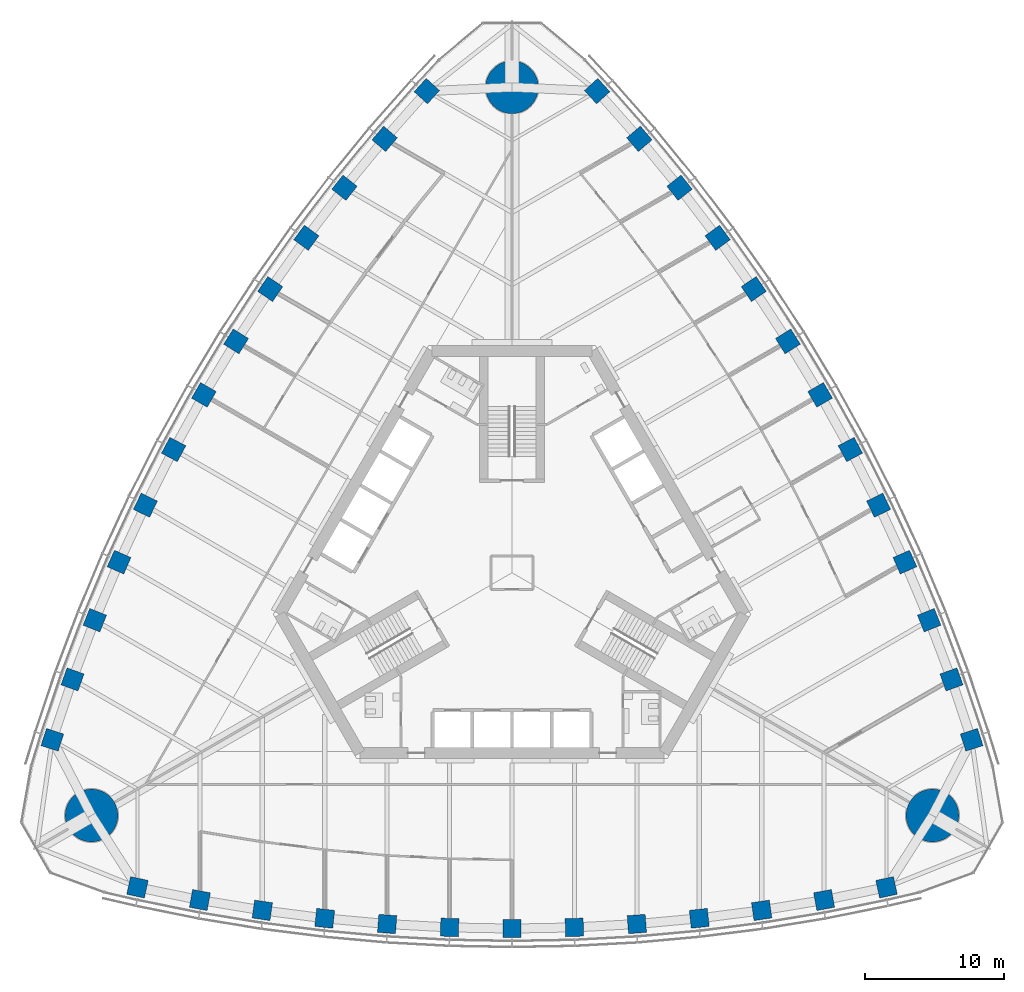
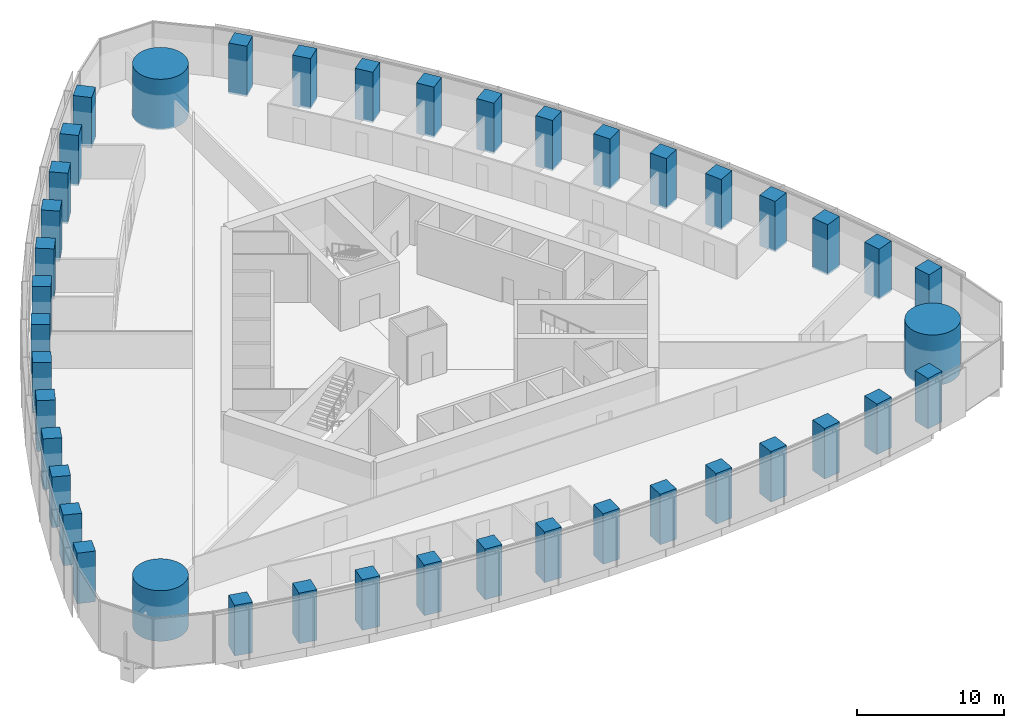
# One storey, part 1 of 19: 42 columns.
"""IFC4 building model written with IfcOpenShell, lengths in metres."""

from ifc_helpers import new_model, si_unit, direction, frame, origin, origin_2d, place, context, subcontext, project, spatial, rectangle, circle, extrude, material, material_profile, profile_set, type_object, element, save


model = new_model("IFC4")

# Units and contexts
model_context = context("Model", 3, precision=1e-05, world=origin(), true_north=direction((0.0, 1.0)))
body_context = subcontext(model_context, "Body", "Model", "MODEL_VIEW")
ifc_project = project(units=[si_unit("LENGTHUNIT", "METRE"), si_unit("AREAUNIT", "SQUARE_METRE"), si_unit("VOLUMEUNIT", "CUBIC_METRE"), si_unit("PLANEANGLEUNIT", "RADIAN"), si_unit("MASSUNIT", "GRAM", prefix="KILO")], contexts=[model_context])

# Site, building, storey
site_placement = place(None, origin())
site = spatial("IfcSite", under=ifc_project, at=site_placement, CompositionType="ELEMENT")
building_placement = place(site_placement, origin())
building = spatial("IfcBuilding", under=site, at=building_placement, Name="Trefoil Bronze Tower", CompositionType="ELEMENT")
storey_placement = place(building_placement, frame((0.0, 0.0, 136.699951171875)))
storey = spatial("IfcBuildingStorey", under=building, at=storey_placement, Name="L31", CompositionType="ELEMENT", Elevation=136.699951171875)

# Columns
ifc_material_1 = material(Name="Concrete B80", Category="concrete")
ifc_material_profile_1 = material_profile(ifc_material_1, circle(Radius=1.89990234375, at=origin_2d()), Name="RC D3800")
ifc_profile_set_1 = profile_set([ifc_material_profile_1], Name="Concrete B80")
column_type_1 = type_object("IfcColumnType", Name="Mega column RC D3800", PredefinedType="COLUMN", material=ifc_profile_set_1)
for number, where, z_axis, x_axis, name in (
    (1, (30.310791015625, -17.5, 0.0), (0.0, 0.0, 1.0), (1.0, 0.0, 0.0), "Mega column K1 L31"),
    (2, (0.0, 35.0, 0.0), (0.0, 0.0, 1.0), (1.0, 0.0, 0.0), "Mega column K2 L31"),
    (3, (-30.310791015625, -17.5, 0.0), (0.0, 0.0, 1.0), (1.0, 0.0, 0.0), "Mega column K3 L31"),
):
    element("IfcColumn", number, at=place(storey_placement, frame(where, z_axis=z_axis, x_axis=x_axis)), inside=storey, type_object=column_type_1, Name=name, PredefinedType="COLUMN", context=body_context, shape_type="SweptSolid", body=[
        extrude(circle(Radius=1.89990234375, at=origin_2d()), origin(), (0.0, 0.0, 1.0), 4.199951171875),
    ])
ifc_material_2 = material(Name="Concrete B80", Category="concrete")
ifc_material_profile_2 = material_profile(ifc_material_2, rectangle(XDim=1.300048828125, YDim=1.300048828125, at=origin_2d()), Name="RC 1300x1300")
ifc_profile_set_2 = profile_set([ifc_material_profile_2], Name="Concrete B80")
column_type_2 = type_object("IfcColumnType", Name="Tube column RC 1300x1300", PredefinedType="COLUMN", material=ifc_profile_set_2)
for number, where, z_axis, x_axis, name in (
    (4, (-27.0, -22.67724609375, 0.0), (0.0, 0.0, 1.0), (0.977276081214, -0.21197042503, 0.0), "Tube column F1/-6 L31"),
    (5, (-22.5, -23.592529296875, 0.0), (0.0, 0.0, 1.0), (0.98362250613, -0.180240853954, 0.0), "Tube column F1/-5 L31"),
    (6, (-18.0, -24.337158203125, 0.0), (0.0, 0.0, 1.0), (0.989549714366, -0.144192103798, 0.0), "Tube column F1/-4 L31"),
    (7, (-13.5, -24.9130859375, 0.0), (0.0, 0.0, 1.0), (0.994135267447, -0.108143747013, 0.0), "Tube column F1/-3 L31"),
    (8, (-9.0, -25.32275390625, 0.0), (0.0, 0.0, 1.0), (0.997397720802, -0.072095676284, 0.0), "Tube column F1/-2 L31"),
    (9, (-4.5, -25.568115234375, 0.0), (0.0, 0.0, 1.0), (0.999350067136, -0.036047792107, 0.0), "Tube column F1/-1 L31"),
    (10, (0.0, -25.649658203125, 0.0), (0.0, 0.0, 1.0), (1.0, 0.0, 0.0), "Tube column F1/+0 L31"),
    (11, (4.5, -25.568115234375, 0.0), (0.0, 0.0, 1.0), (0.999350067136, 0.036047792107, 0.0), "Tube column F1/+1 L31"),
    (12, (9.0, -25.32275390625, 0.0), (0.0, 0.0, 1.0), (0.997397720802, 0.072095676284, 0.0), "Tube column F1/+2 L31"),
    (13, (13.5, -24.9130859375, 0.0), (0.0, 0.0, 1.0), (0.994135267447, 0.108143747013, 0.0), "Tube column F1/+3 L31"),
    (14, (18.0, -24.337158203125, 0.0), (0.0, 0.0, 1.0), (0.989549714366, 0.144192103798, 0.0), "Tube column F1/+4 L31"),
    (15, (22.5, -23.592529296875, 0.0), (0.0, 0.0, 1.0), (0.98362250613, 0.180240853954, 0.0), "Tube column F1/+5 L31"),
    (16, (27.0, -22.67724609375, 0.0), (0.0, 0.0, 1.0), (0.977276081214, 0.21197042503, 0.0), "Tube column F1/+6 L31"),
    (17, (33.13916015625, -12.044189453125, 0.0), (0.0, 0.0, 1.0), (-0.30506626768, 0.952331125357, 0.0), "Tube column F2/-6 L31"),
    (18, (31.681884765625, -7.689208984375, 0.0), (0.0, 0.0, 1.0), (-0.335718094742, 0.94196250502, 0.0), "Tube column F2/-5 L31"),
    (19, (30.07666015625, -3.419921875, 0.0), (0.0, 0.0, 1.0), (-0.369900832269, 0.929071242848, 0.0), "Tube column F2/-4 L31"),
    (20, (28.325439453125, 0.76513671875, 0.0), (0.0, 0.0, 1.0), (-0.40341240155, 0.915018269914, 0.0), "Tube column F2/-3 L31"),
    (21, (26.43017578125, 4.8671875, 0.0), (0.0, 0.0, 1.0), (-0.436262173236, 0.899819602033, 0.0), "Tube column F2/-2 L31"),
    (22, (24.392578125, 8.886962890625, 0.0), (0.0, 0.0, 1.0), (-0.468456729853, 0.883486441467, 0.0), "Tube column F2/-1 L31"),
    (23, (22.21337890625, 12.824951171875, 0.0), (0.0, 0.0, 1.0), (-0.5, 0.866025403784, 0.0), "Tube column F2/+0 L31"),
    (24, (19.892578125, 16.68115234375, 0.0), (0.0, 0.0, 1.0), (-0.530893337283, 0.84743864936, 0.0), "Tube column F2/+1 L31"),
    (25, (17.43017578125, 20.45556640625, 0.0), (0.0, 0.0, 1.0), (-0.561135547566, 0.827723925749, 0.0), "Tube column F2/+2 L31"),
    (26, (14.825439453125, 24.14794921875, 0.0), (0.0, 0.0, 1.0), (-0.590722865897, 0.806874522901, 0.0), "Tube column F2/+3 L31"),
    (27, (12.07666015625, 27.757080078125, 0.0), (0.0, 0.0, 1.0), (-0.619648882098, 0.78487913905, 0.0), "Tube column F2/+4 L31"),
    (28, (9.181884765625, 31.281982421875, 0.0), (0.0, 0.0, 1.0), (-0.647904411389, 0.761721651066, 0.0), "Tube column F2/+5 L31"),
    (29, (6.13916015625, 34.72119140625, 0.0), (0.0, 0.0, 1.0), (-0.672209813534, 0.740360700327, 0.0), "Tube column F2/+6 L31"),
    (30, (-6.13916015625, 34.72119140625, 0.0), (0.0, 0.0, 1.0), (-0.672209813534, -0.740360700327, 0.0), "Tube column F3/-6 L31"),
    (31, (-9.181884765625, 31.281982421875, 0.0), (0.0, 0.0, 1.0), (-0.647904411389, -0.761721651066, 0.0), "Tube column F3/-5 L31"),
    (32, (-12.07666015625, 27.757080078125, 0.0), (0.0, 0.0, 1.0), (-0.619648882098, -0.78487913905, 0.0), "Tube column F3/-4 L31"),
    (33, (-14.825439453125, 24.14794921875, 0.0), (0.0, 0.0, 1.0), (-0.590722865897, -0.806874522901, 0.0), "Tube column F3/-3 L31"),
    (34, (-17.43017578125, 20.45556640625, 0.0), (0.0, 0.0, 1.0), (-0.561135547566, -0.827723925749, 0.0), "Tube column F3/-2 L31"),
    (35, (-19.892578125, 16.68115234375, 0.0), (0.0, 0.0, 1.0), (-0.530893337283, -0.84743864936, 0.0), "Tube column F3/-1 L31"),
    (36, (-22.21337890625, 12.824951171875, 0.0), (0.0, 0.0, 1.0), (-0.5, -0.866025403784, 0.0), "Tube column F3/+0 L31"),
    (37, (-24.392578125, 8.886962890625, 0.0), (0.0, 0.0, 1.0), (-0.468456729853, -0.883486441467, 0.0), "Tube column F3/+1 L31"),
    (38, (-26.43017578125, 4.8671875, 0.0), (0.0, 0.0, 1.0), (-0.436262173236, -0.899819602033, 0.0), "Tube column F3/+2 L31"),
    (39, (-28.325439453125, 0.76513671875, 0.0), (0.0, 0.0, 1.0), (-0.40341240155, -0.915018269914, 0.0), "Tube column F3/+3 L31"),
    (40, (-30.07666015625, -3.419921875, 0.0), (0.0, 0.0, 1.0), (-0.369900832269, -0.929071242848, 0.0), "Tube column F3/+4 L31"),
    (41, (-31.681884765625, -7.689208984375, 0.0), (0.0, 0.0, 1.0), (-0.335718094742, -0.94196250502, 0.0), "Tube column F3/+5 L31"),
    (42, (-33.13916015625, -12.044189453125, 0.0), (0.0, 0.0, 1.0), (-0.30506626768, -0.952331125357, 0.0), "Tube column F3/+6 L31"),
):
    element("IfcColumn", number, at=place(storey_placement, frame(where, z_axis=z_axis, x_axis=x_axis)), inside=storey, type_object=column_type_2, Name=name, PredefinedType="COLUMN", context=body_context, shape_type="SweptSolid", body=[
        extrude(rectangle(XDim=1.300048828125, YDim=1.300048828125, at=origin_2d()), origin(), (0.0, 0.0, 1.0), 4.199951171875),
    ])

save(model, "model.ifc")
